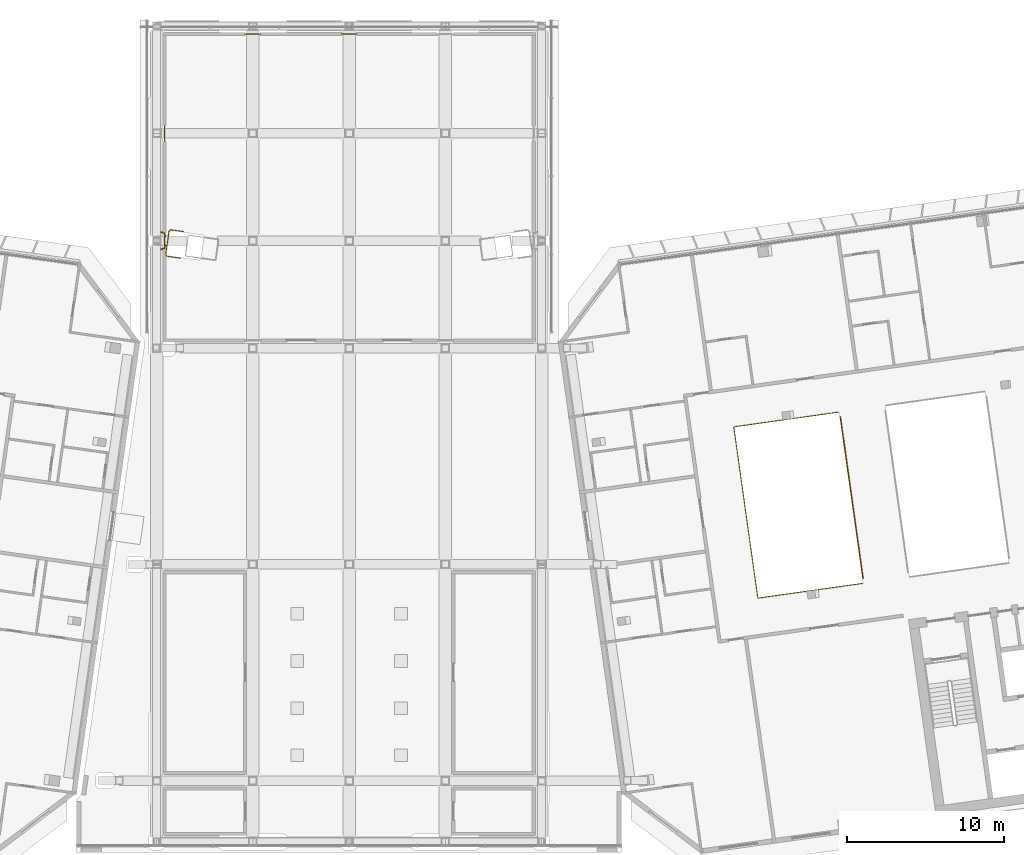
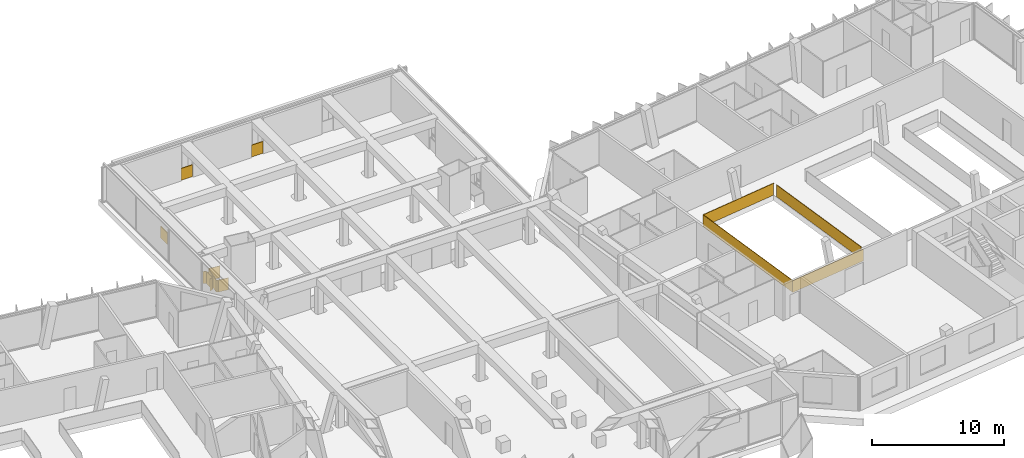
# One storey, part 25 of 28: 9 railings.
"""IFC4 building model written with IfcOpenShell, lengths in metres."""

from ifc_helpers import new_model, si_unit, direction, frame, origin, origin_2d, place, context, subcontext, project, spatial, rectangle, extrude, material, type_object, element, save


model = new_model("IFC4")

# Units and contexts
model_context = context("Model", 3, precision=1e-05, world=origin(), true_north=direction((0.0, 1.0)))
body_context = subcontext(model_context, "Body", "Model", "MODEL_VIEW")
ifc_project = project(units=[si_unit("LENGTHUNIT", "METRE"), si_unit("AREAUNIT", "SQUARE_METRE"), si_unit("VOLUMEUNIT", "CUBIC_METRE"), si_unit("PLANEANGLEUNIT", "RADIAN"), si_unit("MASSUNIT", "GRAM", prefix="KILO")], contexts=[model_context])

# Site, building, storey
site_placement = place(None, origin())
site = spatial("IfcSite", under=ifc_project, at=site_placement, CompositionType="ELEMENT")
building_placement = place(site_placement, origin())
building = spatial("IfcBuilding", under=site, at=building_placement, Name="Mirante Cascada Hotel Towers", CompositionType="ELEMENT")
storey_placement = place(building_placement, frame((0.0, 0.0, 262.2)))
storey = spatial("IfcBuildingStorey", under=building, at=storey_placement, Name="L63", CompositionType="ELEMENT", Elevation=262.2)

# Railings
ifc_material_1 = material(Name="Toughened glass with stainless steel handrail", Category="steel")
railing_type_1 = type_object("IfcRailingType", Name="Atrium guard 1100 glass balustrade", PredefinedType="GUARDRAIL", material=ifc_material_1)
railing_1_placement = place(storey_placement, frame((31.1707, 5.8392, 0.0)))
element("IfcRailing", 1, at=railing_1_placement, inside=storey, type_object=railing_type_1, Name="GUARD 2-L63-1", PredefinedType="GUARDRAIL", context=body_context, shape_type="SweptSolid", body=[
    extrude(rectangle(XDim=0.048, YDim=0.048, at=origin_2d()), frame((0.0, 0.0, 1.076), z_axis=(-0.9902693, -0.1391645, 0.0), x_axis=(0.1391645, -0.9902693, 0.0)), (0.0, 0.0, 1.0), 6.7503),
    extrude(rectangle(XDim=0.02, YDim=1.052, at=origin_2d()), frame((0.0, 0.0, 0.526), z_axis=(-0.9902693, -0.1391645, 0.0), x_axis=(0.1391645, -0.9902693, 0.0)), (0.0, 0.0, 1.0), 6.7503),
    extrude(rectangle(XDim=0.048, YDim=0.048, at=origin_2d()), frame((-6.6846, -0.9394, 1.076), z_axis=(0.1391721, -0.9902682, 0.0), x_axis=(0.9902682, 0.1391721, 0.0)), (0.0, 0.0, 1.0), 11.0001),
    extrude(rectangle(XDim=0.02, YDim=1.052, at=origin_2d()), frame((-6.6846, -0.9394, 0.526), z_axis=(0.1391721, -0.9902682, 0.0), x_axis=(0.9902682, 0.1391721, 0.0)), (0.0, 0.0, 1.0), 11.0001),
    extrude(rectangle(XDim=0.048, YDim=0.048, at=origin_2d()), frame((-5.1537, -11.8324, 1.076), z_axis=(0.9902672, 0.139179, 0.0), x_axis=(-0.139179, 0.9902672, 0.0)), (0.0, 0.0, 1.0), 6.7503),
    extrude(rectangle(XDim=0.02, YDim=1.052, at=origin_2d()), frame((-5.1537, -11.8324, 0.526), z_axis=(0.9902672, 0.139179, 0.0), x_axis=(-0.139179, 0.9902672, 0.0)), (0.0, 0.0, 1.0), 6.7503),
])
railing_2_placement = place(storey_placement, frame((32.709, -4.7541, 0.0)))
element("IfcRailing", 2, at=railing_2_placement, inside=storey, type_object=railing_type_1, Name="GUARD 2-L63-6", PredefinedType="GUARDRAIL", context=body_context, shape_type="SweptSolid", body=[
    extrude(rectangle(XDim=0.048, YDim=0.048, at=origin_2d()), frame((0.0, 0.0, 1.076), z_axis=(-0.1391721, 0.9902682, 0.0), x_axis=(-0.9902682, -0.1391721, 0.0)), (0.0, 0.0, 1.0), 10.4087),
    extrude(rectangle(XDim=0.02, YDim=1.052, at=origin_2d()), frame((0.0, 0.0, 0.526), z_axis=(-0.1391721, 0.9902682, 0.0), x_axis=(-0.9902682, -0.1391721, 0.0)), (0.0, 0.0, 1.0), 10.4087),
])
ifc_material_2 = material(Name="Toughened glass", Category="glass")
railing_type_2 = type_object("IfcRailingType", Name="Deck column opening guard 1100 glass balustrade", PredefinedType="GUARDRAIL", material=ifc_material_2)
railing_3_placement = place(storey_placement, frame((-12.0014, 16.1975, 0.0)))
element("IfcRailing", 3, at=railing_3_placement, inside=storey, type_object=railing_type_2, Name="Column opening guard L63 1", PredefinedType="GUARDRAIL", context=body_context, shape_type="SweptSolid", body=[
    extrude(rectangle(XDim=0.048, YDim=0.048, at=origin_2d()), frame((0.0, 0.0, 1.076), z_axis=(1.0, 0.0, 0.0), x_axis=(0.0, 1.0, 0.0)), (0.0, 0.0, 1.0), 0.0013),
    extrude(rectangle(XDim=0.02, YDim=1.052, at=origin_2d()), frame((0.0, 0.0, 0.526), z_axis=(1.0, 0.0, 0.0), x_axis=(0.0, 1.0, 0.0)), (0.0, 0.0, 1.0), 0.0013),
    extrude(rectangle(XDim=0.048, YDim=0.048, at=origin_2d()), frame((0.0013, 0.0, 1.076), z_axis=(0.9987612, 0.0497603, 0.0), x_axis=(-0.0497603, 0.9987612, 0.0)), (0.0, 0.0, 1.0), 0.0281),
    extrude(rectangle(XDim=0.02, YDim=1.052, at=origin_2d()), frame((0.0013, 0.0, 0.526), z_axis=(0.9987612, 0.0497603, 0.0), x_axis=(-0.0497603, 0.9987612, 0.0)), (0.0, 0.0, 1.0), 0.0281),
    extrude(rectangle(XDim=0.048, YDim=0.048, at=origin_2d()), frame((0.0294, 0.0014, 1.076), z_axis=(0.9893304, 0.1456891, 0.0), x_axis=(-0.1456891, 0.9893304, 0.0)), (0.0, 0.0, 1.0), 0.0295),
    extrude(rectangle(XDim=0.02, YDim=1.052, at=origin_2d()), frame((0.0294, 0.0014, 0.526), z_axis=(0.9893304, 0.1456891, 0.0), x_axis=(-0.1456891, 0.9893304, 0.0)), (0.0, 0.0, 1.0), 0.0295),
    extrude(rectangle(XDim=0.048, YDim=0.048, at=origin_2d()), frame((0.0586, 0.0057, 1.076), z_axis=(0.9695392, 0.2449362, 0.0), x_axis=(-0.2449362, 0.9695392, 0.0)), (0.0, 0.0, 1.0), 0.0294),
    extrude(rectangle(XDim=0.02, YDim=1.052, at=origin_2d()), frame((0.0586, 0.0057, 0.526), z_axis=(0.9695392, 0.2449362, 0.0), x_axis=(-0.2449362, 0.9695392, 0.0)), (0.0, 0.0, 1.0), 0.0294),
    extrude(rectangle(XDim=0.048, YDim=0.048, at=origin_2d()), frame((0.0871, 0.0129, 1.076), z_axis=(0.9420482, 0.3354776, 0.0), x_axis=(-0.3354776, 0.9420482, 0.0)), (0.0, 0.0, 1.0), 0.0295),
    extrude(rectangle(XDim=0.02, YDim=1.052, at=origin_2d()), frame((0.0871, 0.0129, 0.526), z_axis=(0.9420482, 0.3354776, 0.0), x_axis=(-0.3354776, 0.9420482, 0.0)), (0.0, 0.0, 1.0), 0.0295),
    extrude(rectangle(XDim=0.048, YDim=0.048, at=origin_2d()), frame((0.1149, 0.0228, 1.076), z_axis=(0.9037378, 0.4280863, 0.0), x_axis=(-0.4280863, 0.9037378, 0.0)), (0.0, 0.0, 1.0), 0.0294),
    extrude(rectangle(XDim=0.02, YDim=1.052, at=origin_2d()), frame((0.1149, 0.0228, 0.526), z_axis=(0.9037378, 0.4280863, 0.0), x_axis=(-0.4280863, 0.9037378, 0.0)), (0.0, 0.0, 1.0), 0.0294),
    extrude(rectangle(XDim=0.048, YDim=0.048, at=origin_2d()), frame((0.1415, 0.0354, 1.076), z_axis=(0.8577931, 0.5139951, 0.0), x_axis=(-0.5139951, 0.8577931, 0.0)), (0.0, 0.0, 1.0), 0.0294),
    extrude(rectangle(XDim=0.02, YDim=1.052, at=origin_2d()), frame((0.1415, 0.0354, 0.526), z_axis=(0.8577931, 0.5139951, 0.0), x_axis=(-0.5139951, 0.8577931, 0.0)), (0.0, 0.0, 1.0), 0.0294),
    extrude(rectangle(XDim=0.048, YDim=0.048, at=origin_2d()), frame((0.1667, 0.0505, 1.076), z_axis=(0.8028365, 0.5961993, 0.0), x_axis=(-0.5961993, 0.8028365, 0.0)), (0.0, 0.0, 1.0), 0.0295),
    extrude(rectangle(XDim=0.02, YDim=1.052, at=origin_2d()), frame((0.1667, 0.0505, 0.526), z_axis=(0.8028365, 0.5961993, 0.0), x_axis=(-0.5961993, 0.8028365, 0.0)), (0.0, 0.0, 1.0), 0.0295),
    extrude(rectangle(XDim=0.048, YDim=0.048, at=origin_2d()), frame((0.1904, 0.0681, 1.076), z_axis=(0.7419388, 0.6704676, 0.0), x_axis=(-0.6704676, 0.7419388, 0.0)), (0.0, 0.0, 1.0), 0.0294),
    extrude(rectangle(XDim=0.02, YDim=1.052, at=origin_2d()), frame((0.1904, 0.0681, 0.526), z_axis=(0.7419388, 0.6704676, 0.0), x_axis=(-0.6704676, 0.7419388, 0.0)), (0.0, 0.0, 1.0), 0.0294),
    extrude(rectangle(XDim=0.048, YDim=0.048, at=origin_2d()), frame((0.2122, 0.0878, 1.076), z_axis=(0.6706472, 0.7417765, 0.0), x_axis=(-0.7417765, 0.6706472, 0.0)), (0.0, 0.0, 1.0), 0.0295),
    extrude(rectangle(XDim=0.02, YDim=1.052, at=origin_2d()), frame((0.2122, 0.0878, 0.526), z_axis=(0.6706472, 0.7417765, 0.0), x_axis=(-0.7417765, 0.6706472, 0.0)), (0.0, 0.0, 1.0), 0.0295),
    extrude(rectangle(XDim=0.048, YDim=0.048, at=origin_2d()), frame((0.232, 0.1097, 1.076), z_axis=(0.5956345, 0.8032556, 0.0), x_axis=(-0.8032556, 0.5956345, 0.0)), (0.0, 0.0, 1.0), 0.0294),
    extrude(rectangle(XDim=0.02, YDim=1.052, at=origin_2d()), frame((0.232, 0.1097, 0.526), z_axis=(0.5956345, 0.8032556, 0.0), x_axis=(-0.8032556, 0.5956345, 0.0)), (0.0, 0.0, 1.0), 0.0294),
    extrude(rectangle(XDim=0.048, YDim=0.048, at=origin_2d()), frame((0.2495, 0.1333, 1.076), z_axis=(0.5149939, 0.8571938, 0.0), x_axis=(-0.8571938, 0.5149939, 0.0)), (0.0, 0.0, 1.0), 0.0295),
    extrude(rectangle(XDim=0.02, YDim=1.052, at=origin_2d()), frame((0.2495, 0.1333, 0.526), z_axis=(0.5149939, 0.8571938, 0.0), x_axis=(-0.8571938, 0.5149939, 0.0)), (0.0, 0.0, 1.0), 0.0295),
    extrude(rectangle(XDim=0.048, YDim=0.048, at=origin_2d()), frame((0.2647, 0.1586, 1.076), z_axis=(0.4280863, 0.9037378, 0.0), x_axis=(-0.9037378, 0.4280863, 0.0)), (0.0, 0.0, 1.0), 0.0294),
    extrude(rectangle(XDim=0.02, YDim=1.052, at=origin_2d()), frame((0.2647, 0.1586, 0.526), z_axis=(0.4280863, 0.9037378, 0.0), x_axis=(-0.9037378, 0.4280863, 0.0)), (0.0, 0.0, 1.0), 0.0294),
    extrude(rectangle(XDim=0.048, YDim=0.048, at=origin_2d()), frame((0.2773, 0.1852, 1.076), z_axis=(0.3365517, 0.941665, 0.0), x_axis=(-0.941665, 0.3365517, 0.0)), (0.0, 0.0, 1.0), 0.0294),
    extrude(rectangle(XDim=0.02, YDim=1.052, at=origin_2d()), frame((0.2773, 0.1852, 0.526), z_axis=(0.3365517, 0.941665, 0.0), x_axis=(-0.941665, 0.3365517, 0.0)), (0.0, 0.0, 1.0), 0.0294),
    extrude(rectangle(XDim=0.048, YDim=0.048, at=origin_2d()), frame((0.2872, 0.2129, 1.076), z_axis=(0.2409384, 0.9705404, 0.0), x_axis=(-0.9705404, 0.2409384, 0.0)), (0.0, 0.0, 1.0), 0.0295),
    extrude(rectangle(XDim=0.02, YDim=1.052, at=origin_2d()), frame((0.2872, 0.2129, 0.526), z_axis=(0.2409384, 0.9705404, 0.0), x_axis=(-0.9705404, 0.2409384, 0.0)), (0.0, 0.0, 1.0), 0.0295),
    extrude(rectangle(XDim=0.048, YDim=0.048, at=origin_2d()), frame((0.2943, 0.2415, 1.076), z_axis=(0.146179, 0.9892582, 0.0), x_axis=(-0.9892582, 0.146179, 0.0)), (0.0, 0.0, 1.0), 0.0294),
    extrude(rectangle(XDim=0.02, YDim=1.052, at=origin_2d()), frame((0.2943, 0.2415, 0.526), z_axis=(0.146179, 0.9892582, 0.0), x_axis=(-0.9892582, 0.146179, 0.0)), (0.0, 0.0, 1.0), 0.0294),
    extrude(rectangle(XDim=0.048, YDim=0.048, at=origin_2d()), frame((0.2986, 0.2706, 1.076), z_axis=(0.0495843, 0.9987699, 0.0), x_axis=(-0.9987699, 0.0495843, 0.0)), (0.0, 0.0, 1.0), 0.0282),
    extrude(rectangle(XDim=0.02, YDim=1.052, at=origin_2d()), frame((0.2986, 0.2706, 0.526), z_axis=(0.0495843, 0.9987699, 0.0), x_axis=(-0.9987699, 0.0495843, 0.0)), (0.0, 0.0, 1.0), 0.0282),
    extrude(rectangle(XDim=0.048, YDim=0.048, at=origin_2d()), frame((0.3, 0.2988, 1.076), z_axis=(0.0, 1.0, 0.0), x_axis=(-1.0, 0.0, 0.0)), (0.0, 0.0, 1.0), 0.0012),
    extrude(rectangle(XDim=0.02, YDim=1.052, at=origin_2d()), frame((0.3, 0.2988, 0.526), z_axis=(0.0, 1.0, 0.0), x_axis=(-1.0, 0.0, 0.0)), (0.0, 0.0, 1.0), 0.0012),
])
railing_4_placement = place(storey_placement, frame((-11.7014, 16.9975, 0.0)))
element("IfcRailing", 4, at=railing_4_placement, inside=storey, type_object=railing_type_2, Name="Column opening guard L63 2", PredefinedType="GUARDRAIL", context=body_context, shape_type="SweptSolid", body=[
    extrude(rectangle(XDim=0.048, YDim=0.048, at=origin_2d()), frame((0.0, 0.0, 1.076), z_axis=(0.0, 1.0, 0.0), x_axis=(-1.0, 0.0, 0.0)), (0.0, 0.0, 1.0), 0.0012),
    extrude(rectangle(XDim=0.02, YDim=1.052, at=origin_2d()), frame((0.0, 0.0, 0.526), z_axis=(0.0, 1.0, 0.0), x_axis=(-1.0, 0.0, 0.0)), (0.0, 0.0, 1.0), 0.0012),
    extrude(rectangle(XDim=0.048, YDim=0.048, at=origin_2d()), frame((0.0, 0.0012, 1.076), z_axis=(-0.0495843, 0.9987699, 0.0), x_axis=(-0.9987699, -0.0495843, 0.0)), (0.0, 0.0, 1.0), 0.0282),
    extrude(rectangle(XDim=0.02, YDim=1.052, at=origin_2d()), frame((0.0, 0.0012, 0.526), z_axis=(-0.0495843, 0.9987699, 0.0), x_axis=(-0.9987699, -0.0495843, 0.0)), (0.0, 0.0, 1.0), 0.0282),
    extrude(rectangle(XDim=0.048, YDim=0.048, at=origin_2d()), frame((-0.0014, 0.0294, 1.076), z_axis=(-0.1456891, 0.9893304, 0.0), x_axis=(-0.9893304, -0.1456891, 0.0)), (0.0, 0.0, 1.0), 0.0295),
    extrude(rectangle(XDim=0.02, YDim=1.052, at=origin_2d()), frame((-0.0014, 0.0294, 0.526), z_axis=(-0.1456891, 0.9893304, 0.0), x_axis=(-0.9893304, -0.1456891, 0.0)), (0.0, 0.0, 1.0), 0.0295),
    extrude(rectangle(XDim=0.048, YDim=0.048, at=origin_2d()), frame((-0.0057, 0.0586, 1.076), z_axis=(-0.2417344, 0.9703424, 0.0), x_axis=(-0.9703424, -0.2417344, 0.0)), (0.0, 0.0, 1.0), 0.0294),
    extrude(rectangle(XDim=0.02, YDim=1.052, at=origin_2d()), frame((-0.0057, 0.0586, 0.526), z_axis=(-0.2417344, 0.9703424, 0.0), x_axis=(-0.9703424, -0.2417344, 0.0)), (0.0, 0.0, 1.0), 0.0294),
    extrude(rectangle(XDim=0.048, YDim=0.048, at=origin_2d()), frame((-0.0128, 0.0871, 1.076), z_axis=(-0.3365517, 0.941665, 0.0), x_axis=(-0.941665, -0.3365517, 0.0)), (0.0, 0.0, 1.0), 0.0294),
    extrude(rectangle(XDim=0.02, YDim=1.052, at=origin_2d()), frame((-0.0128, 0.0871, 0.526), z_axis=(-0.3365517, 0.941665, 0.0), x_axis=(-0.941665, -0.3365517, 0.0)), (0.0, 0.0, 1.0), 0.0294),
    extrude(rectangle(XDim=0.048, YDim=0.048, at=origin_2d()), frame((-0.0227, 0.1148, 1.076), z_axis=(-0.4267755, 0.9043576, 0.0), x_axis=(-0.9043576, -0.4267755, 0.0)), (0.0, 0.0, 1.0), 0.0295),
    extrude(rectangle(XDim=0.02, YDim=1.052, at=origin_2d()), frame((-0.0227, 0.1148, 0.526), z_axis=(-0.4267755, 0.9043576, 0.0), x_axis=(-0.9043576, -0.4267755, 0.0)), (0.0, 0.0, 1.0), 0.0295),
    extrude(rectangle(XDim=0.048, YDim=0.048, at=origin_2d()), frame((-0.0353, 0.1415, 1.076), z_axis=(-0.5164932, 0.8562913, 0.0), x_axis=(-0.8562913, -0.5164932, 0.0)), (0.0, 0.0, 1.0), 0.0294),
    extrude(rectangle(XDim=0.02, YDim=1.052, at=origin_2d()), frame((-0.0353, 0.1415, 0.526), z_axis=(-0.5164932, 0.8562913, 0.0), x_axis=(-0.8562913, -0.5164932, 0.0)), (0.0, 0.0, 1.0), 0.0294),
    extrude(rectangle(XDim=0.048, YDim=0.048, at=origin_2d()), frame((-0.0505, 0.1667, 1.076), z_axis=(-0.5940092, 0.8044582, 0.0), x_axis=(-0.8044582, -0.5940092, 0.0)), (0.0, 0.0, 1.0), 0.0295),
    extrude(rectangle(XDim=0.02, YDim=1.052, at=origin_2d()), frame((-0.0505, 0.1667, 0.526), z_axis=(-0.5940092, 0.8044582, 0.0), x_axis=(-0.8044582, -0.5940092, 0.0)), (0.0, 0.0, 1.0), 0.0295),
    extrude(rectangle(XDim=0.048, YDim=0.048, at=origin_2d()), frame((-0.068, 0.1904, 1.076), z_axis=(-0.6723347, 0.7402473, 0.0), x_axis=(-0.7402473, -0.6723347, 0.0)), (0.0, 0.0, 1.0), 0.0294),
    extrude(rectangle(XDim=0.02, YDim=1.052, at=origin_2d()), frame((-0.068, 0.1904, 0.526), z_axis=(-0.6723347, 0.7402473, 0.0), x_axis=(-0.7402473, -0.6723347, 0.0)), (0.0, 0.0, 1.0), 0.0294),
    extrude(rectangle(XDim=0.048, YDim=0.048, at=origin_2d()), frame((-0.0878, 0.2122, 1.076), z_axis=(-0.7402473, 0.6723347, 0.0), x_axis=(-0.6723347, -0.7402473, 0.0)), (0.0, 0.0, 1.0), 0.0294),
    extrude(rectangle(XDim=0.02, YDim=1.052, at=origin_2d()), frame((-0.0878, 0.2122, 0.526), z_axis=(-0.7402473, 0.6723347, 0.0), x_axis=(-0.6723347, -0.7402473, 0.0)), (0.0, 0.0, 1.0), 0.0294),
    extrude(rectangle(XDim=0.048, YDim=0.048, at=origin_2d()), frame((-0.1096, 0.232, 1.076), z_axis=(-0.8044582, 0.5940092, 0.0), x_axis=(-0.5940092, -0.8044582, 0.0)), (0.0, 0.0, 1.0), 0.0295),
    extrude(rectangle(XDim=0.02, YDim=1.052, at=origin_2d()), frame((-0.1096, 0.232, 0.526), z_axis=(-0.8044582, 0.5940092, 0.0), x_axis=(-0.5940092, -0.8044582, 0.0)), (0.0, 0.0, 1.0), 0.0295),
    extrude(rectangle(XDim=0.048, YDim=0.048, at=origin_2d()), frame((-0.1333, 0.2495, 1.076), z_axis=(-0.8577931, 0.5139951, 0.0), x_axis=(-0.5139951, -0.8577931, 0.0)), (0.0, 0.0, 1.0), 0.0294),
    extrude(rectangle(XDim=0.02, YDim=1.052, at=origin_2d()), frame((-0.1333, 0.2495, 0.526), z_axis=(-0.8577931, 0.5139951, 0.0), x_axis=(-0.5139951, -0.8577931, 0.0)), (0.0, 0.0, 1.0), 0.0294),
    extrude(rectangle(XDim=0.048, YDim=0.048, at=origin_2d()), frame((-0.1585, 0.2646, 1.076), z_axis=(-0.9037378, 0.4280863, 0.0), x_axis=(-0.4280863, -0.9037378, 0.0)), (0.0, 0.0, 1.0), 0.0294),
    extrude(rectangle(XDim=0.02, YDim=1.052, at=origin_2d()), frame((-0.1585, 0.2646, 0.526), z_axis=(-0.9037378, 0.4280863, 0.0), x_axis=(-0.4280863, -0.9037378, 0.0)), (0.0, 0.0, 1.0), 0.0294),
    extrude(rectangle(XDim=0.048, YDim=0.048, at=origin_2d()), frame((-0.1851, 0.2772, 1.076), z_axis=(-0.9409737, 0.3384797, 0.0), x_axis=(-0.3384797, -0.9409737, 0.0)), (0.0, 0.0, 1.0), 0.0295),
    extrude(rectangle(XDim=0.02, YDim=1.052, at=origin_2d()), frame((-0.1851, 0.2772, 0.526), z_axis=(-0.9409737, 0.3384797, 0.0), x_axis=(-0.3384797, -0.9409737, 0.0)), (0.0, 0.0, 1.0), 0.0295),
    extrude(rectangle(XDim=0.048, YDim=0.048, at=origin_2d()), frame((-0.2129, 0.2872, 1.076), z_axis=(-0.9703424, 0.2417344, 0.0), x_axis=(-0.2417344, -0.9703424, 0.0)), (0.0, 0.0, 1.0), 0.0294),
    extrude(rectangle(XDim=0.02, YDim=1.052, at=origin_2d()), frame((-0.2129, 0.2872, 0.526), z_axis=(-0.9703424, 0.2417344, 0.0), x_axis=(-0.2417344, -0.9703424, 0.0)), (0.0, 0.0, 1.0), 0.0294),
    extrude(rectangle(XDim=0.048, YDim=0.048, at=origin_2d()), frame((-0.2414, 0.2943, 1.076), z_axis=(-0.9893304, 0.1456891, 0.0), x_axis=(-0.1456891, -0.9893304, 0.0)), (0.0, 0.0, 1.0), 0.0295),
    extrude(rectangle(XDim=0.02, YDim=1.052, at=origin_2d()), frame((-0.2414, 0.2943, 0.526), z_axis=(-0.9893304, 0.1456891, 0.0), x_axis=(-0.1456891, -0.9893304, 0.0)), (0.0, 0.0, 1.0), 0.0295),
    extrude(rectangle(XDim=0.048, YDim=0.048, at=origin_2d()), frame((-0.2706, 0.2986, 1.076), z_axis=(-0.9987612, 0.0497603, 0.0), x_axis=(-0.0497603, -0.9987612, 0.0)), (0.0, 0.0, 1.0), 0.0281),
    extrude(rectangle(XDim=0.02, YDim=1.052, at=origin_2d()), frame((-0.2706, 0.2986, 0.526), z_axis=(-0.9987612, 0.0497603, 0.0), x_axis=(-0.0497603, -0.9987612, 0.0)), (0.0, 0.0, 1.0), 0.0281),
    extrude(rectangle(XDim=0.048, YDim=0.048, at=origin_2d()), frame((-0.2987, 0.3, 1.076), z_axis=(-1.0, 0.0, 0.0), x_axis=(0.0, -1.0, 0.0)), (0.0, 0.0, 1.0), 0.0013),
    extrude(rectangle(XDim=0.02, YDim=1.052, at=origin_2d()), frame((-0.2987, 0.3, 0.526), z_axis=(-1.0, 0.0, 0.0), x_axis=(0.0, -1.0, 0.0)), (0.0, 0.0, 1.0), 0.0013),
])
railing_5_placement = place(storey_placement, frame((-10.4951, 17.3235, 0.0)))
element("IfcRailing", 5, at=railing_5_placement, inside=storey, type_object=railing_type_2, Name="Column opening guard L63 3", PredefinedType="GUARDRAIL", context=body_context, shape_type="SweptSolid", body=[
    extrude(rectangle(XDim=0.048, YDim=0.048, at=origin_2d()), frame((0.0, 0.0, 1.076), z_axis=(-0.9902732, 0.1391364, 0.0), x_axis=(-0.1391364, -0.9902732, 0.0)), (0.0, 0.0, 1.0), 0.815),
    extrude(rectangle(XDim=0.02, YDim=1.052, at=origin_2d()), frame((0.0, 0.0, 0.526), z_axis=(-0.9902732, 0.1391364, 0.0), x_axis=(-0.1391364, -0.9902732, 0.0)), (0.0, 0.0, 1.0), 0.815),
    extrude(rectangle(XDim=0.048, YDim=0.048, at=origin_2d()), frame((-0.8071, 0.1134, 1.076), z_axis=(-0.9960142, 0.0891953, 0.0), x_axis=(-0.0891953, -0.9960142, 0.0)), (0.0, 0.0, 1.0), 0.0135),
    extrude(rectangle(XDim=0.02, YDim=1.052, at=origin_2d()), frame((-0.8071, 0.1134, 0.526), z_axis=(-0.9960142, 0.0891953, 0.0), x_axis=(-0.0891953, -0.9960142, 0.0)), (0.0, 0.0, 1.0), 0.0135),
    extrude(rectangle(XDim=0.048, YDim=0.048, at=origin_2d()), frame((-0.8205, 0.1146, 1.076), z_axis=(-0.9999772, -0.0067566, 0.0), x_axis=(0.0067566, -0.9999772, 0.0)), (0.0, 0.0, 1.0), 0.0148),
    extrude(rectangle(XDim=0.02, YDim=1.052, at=origin_2d()), frame((-0.8205, 0.1146, 0.526), z_axis=(-0.9999772, -0.0067566, 0.0), x_axis=(0.0067566, -0.9999772, 0.0)), (0.0, 0.0, 1.0), 0.0148),
    extrude(rectangle(XDim=0.048, YDim=0.048, at=origin_2d()), frame((-0.8353, 0.1145, 1.076), z_axis=(-0.9947637, -0.1022017, 0.0), x_axis=(0.1022017, -0.9947637, 0.0)), (0.0, 0.0, 1.0), 0.0147),
    extrude(rectangle(XDim=0.02, YDim=1.052, at=origin_2d()), frame((-0.8353, 0.1145, 0.526), z_axis=(-0.9947637, -0.1022017, 0.0), x_axis=(0.1022017, -0.9947637, 0.0)), (0.0, 0.0, 1.0), 0.0147),
    extrude(rectangle(XDim=0.048, YDim=0.048, at=origin_2d()), frame((-0.8499, 0.113, 1.076), z_axis=(-0.9789804, -0.2039543, 0.0), x_axis=(0.2039543, -0.9789804, 0.0)), (0.0, 0.0, 1.0), 0.0147),
    extrude(rectangle(XDim=0.02, YDim=1.052, at=origin_2d()), frame((-0.8499, 0.113, 0.526), z_axis=(-0.9789804, -0.2039543, 0.0), x_axis=(0.2039543, -0.9789804, 0.0)), (0.0, 0.0, 1.0), 0.0147),
    extrude(rectangle(XDim=0.048, YDim=0.048, at=origin_2d()), frame((-0.8643, 0.11, 1.076), z_axis=(-0.9546004, -0.2978895, 0.0), x_axis=(0.2978895, -0.9546004, 0.0)), (0.0, 0.0, 1.0), 0.0148),
    extrude(rectangle(XDim=0.02, YDim=1.052, at=origin_2d()), frame((-0.8643, 0.11, 0.526), z_axis=(-0.9546004, -0.2978895, 0.0), x_axis=(0.2978895, -0.9546004, 0.0)), (0.0, 0.0, 1.0), 0.0148),
    extrude(rectangle(XDim=0.048, YDim=0.048, at=origin_2d()), frame((-0.8784, 0.1056, 1.076), z_axis=(-0.9222724, -0.3865406, 0.0), x_axis=(0.3865406, -0.9222724, 0.0)), (0.0, 0.0, 1.0), 0.0147),
    extrude(rectangle(XDim=0.02, YDim=1.052, at=origin_2d()), frame((-0.8784, 0.1056, 0.526), z_axis=(-0.9222724, -0.3865406, 0.0), x_axis=(0.3865406, -0.9222724, 0.0)), (0.0, 0.0, 1.0), 0.0147),
    extrude(rectangle(XDim=0.048, YDim=0.048, at=origin_2d()), frame((-0.892, 0.0999, 1.076), z_axis=(-0.8760725, -0.4821794, 0.0), x_axis=(0.4821794, -0.8760725, 0.0)), (0.0, 0.0, 1.0), 0.0147),
    extrude(rectangle(XDim=0.02, YDim=1.052, at=origin_2d()), frame((-0.892, 0.0999, 0.526), z_axis=(-0.8760725, -0.4821794, 0.0), x_axis=(0.4821794, -0.8760725, 0.0)), (0.0, 0.0, 1.0), 0.0147),
    extrude(rectangle(XDim=0.048, YDim=0.048, at=origin_2d()), frame((-0.9049, 0.0928, 1.076), z_axis=(-0.8299512, -0.557836, 0.0), x_axis=(0.557836, -0.8299512, 0.0)), (0.0, 0.0, 1.0), 0.0147),
    extrude(rectangle(XDim=0.02, YDim=1.052, at=origin_2d()), frame((-0.9049, 0.0928, 0.526), z_axis=(-0.8299512, -0.557836, 0.0), x_axis=(0.557836, -0.8299512, 0.0)), (0.0, 0.0, 1.0), 0.0147),
    extrude(rectangle(XDim=0.048, YDim=0.048, at=origin_2d()), frame((-0.9171, 0.0846, 1.076), z_axis=(-0.7654379, -0.6435098, 0.0), x_axis=(0.6435098, -0.7654379, 0.0)), (0.0, 0.0, 1.0), 0.0148),
    extrude(rectangle(XDim=0.02, YDim=1.052, at=origin_2d()), frame((-0.9171, 0.0846, 0.526), z_axis=(-0.7654379, -0.6435098, 0.0), x_axis=(0.6435098, -0.7654379, 0.0)), (0.0, 0.0, 1.0), 0.0148),
    extrude(rectangle(XDim=0.048, YDim=0.048, at=origin_2d()), frame((-0.9284, 0.0751, 1.076), z_axis=(-0.7002753, -0.7138729, 0.0), x_axis=(0.7138729, -0.7002753, 0.0)), (0.0, 0.0, 1.0), 0.0147),
    extrude(rectangle(XDim=0.02, YDim=1.052, at=origin_2d()), frame((-0.9284, 0.0751, 0.526), z_axis=(-0.7002753, -0.7138729, 0.0), x_axis=(0.7138729, -0.7002753, 0.0)), (0.0, 0.0, 1.0), 0.0147),
    extrude(rectangle(XDim=0.048, YDim=0.048, at=origin_2d()), frame((-0.9387, 0.0646, 1.076), z_axis=(-0.6321267, -0.774865, 0.0), x_axis=(0.774865, -0.6321267, 0.0)), (0.0, 0.0, 1.0), 0.0147),
    extrude(rectangle(XDim=0.02, YDim=1.052, at=origin_2d()), frame((-0.9387, 0.0646, 0.526), z_axis=(-0.6321267, -0.774865, 0.0), x_axis=(0.774865, -0.6321267, 0.0)), (0.0, 0.0, 1.0), 0.0147),
    extrude(rectangle(XDim=0.048, YDim=0.048, at=origin_2d()), frame((-0.948, 0.0532, 1.076), z_axis=(-0.5499906, -0.8351709, 0.0), x_axis=(0.8351709, -0.5499906, 0.0)), (0.0, 0.0, 1.0), 0.0147),
    extrude(rectangle(XDim=0.02, YDim=1.052, at=origin_2d()), frame((-0.948, 0.0532, 0.526), z_axis=(-0.5499906, -0.8351709, 0.0), x_axis=(0.8351709, -0.5499906, 0.0)), (0.0, 0.0, 1.0), 0.0147),
    extrude(rectangle(XDim=0.048, YDim=0.048, at=origin_2d()), frame((-0.9561, 0.0409, 1.076), z_axis=(-0.4607126, -0.8875494, 0.0), x_axis=(0.8875494, -0.4607126, 0.0)), (0.0, 0.0, 1.0), 0.0148),
    extrude(rectangle(XDim=0.02, YDim=1.052, at=origin_2d()), frame((-0.9561, 0.0409, 0.526), z_axis=(-0.4607126, -0.8875494, 0.0), x_axis=(0.8875494, -0.4607126, 0.0)), (0.0, 0.0, 1.0), 0.0148),
    extrude(rectangle(XDim=0.048, YDim=0.048, at=origin_2d()), frame((-0.9629, 0.0278, 1.076), z_axis=(-0.3749138, -0.9270597, 0.0), x_axis=(0.9270597, -0.3749138, 0.0)), (0.0, 0.0, 1.0), 0.0147),
    extrude(rectangle(XDim=0.02, YDim=1.052, at=origin_2d()), frame((-0.9629, 0.0278, 0.526), z_axis=(-0.3749138, -0.9270597, 0.0), x_axis=(0.9270597, -0.3749138, 0.0)), (0.0, 0.0, 1.0), 0.0147),
    extrude(rectangle(XDim=0.048, YDim=0.048, at=origin_2d()), frame((-0.9684, 0.0142, 1.076), z_axis=(-0.2854766, -0.9583857, 0.0), x_axis=(0.9583857, -0.2854766, 0.0)), (0.0, 0.0, 1.0), 0.0147),
    extrude(rectangle(XDim=0.02, YDim=1.052, at=origin_2d()), frame((-0.9684, 0.0142, 0.526), z_axis=(-0.2854766, -0.9583857, 0.0), x_axis=(0.9583857, -0.2854766, 0.0)), (0.0, 0.0, 1.0), 0.0147),
    extrude(rectangle(XDim=0.048, YDim=0.048, at=origin_2d()), frame((-0.9726, 0.0001, 1.076), z_axis=(-0.1847347, -0.9827884, 0.0), x_axis=(0.9827884, -0.1847347, 0.0)), (0.0, 0.0, 1.0), 0.0135),
    extrude(rectangle(XDim=0.02, YDim=1.052, at=origin_2d()), frame((-0.9726, 0.0001, 0.526), z_axis=(-0.1847347, -0.9827884, 0.0), x_axis=(0.9827884, -0.1847347, 0.0)), (0.0, 0.0, 1.0), 0.0135),
    extrude(rectangle(XDim=0.048, YDim=0.048, at=origin_2d()), frame((-0.9751, -0.0132, 1.076), z_axis=(-0.1391849, -0.9902664, 0.0), x_axis=(0.9902664, -0.1391849, 0.0)), (0.0, 0.0, 1.0), 1.4025),
    extrude(rectangle(XDim=0.02, YDim=1.052, at=origin_2d()), frame((-0.9751, -0.0132, 0.526), z_axis=(-0.1391849, -0.9902664, 0.0), x_axis=(0.9902664, -0.1391849, 0.0)), (0.0, 0.0, 1.0), 1.4025),
    extrude(rectangle(XDim=0.048, YDim=0.048, at=origin_2d()), frame((-1.1703, -1.402, 1.076), z_axis=(-0.0891953, -0.9960142, 0.0), x_axis=(0.9960142, -0.0891953, 0.0)), (0.0, 0.0, 1.0), 0.0135),
    extrude(rectangle(XDim=0.02, YDim=1.052, at=origin_2d()), frame((-1.1703, -1.402, 0.526), z_axis=(-0.0891953, -0.9960142, 0.0), x_axis=(0.9960142, -0.0891953, 0.0)), (0.0, 0.0, 1.0), 0.0135),
    extrude(rectangle(XDim=0.048, YDim=0.048, at=origin_2d()), frame((-1.1715, -1.4154, 1.076), z_axis=(0.0067566, -0.9999772, 0.0), x_axis=(0.9999772, 0.0067566, 0.0)), (0.0, 0.0, 1.0), 0.0148),
    extrude(rectangle(XDim=0.02, YDim=1.052, at=origin_2d()), frame((-1.1715, -1.4154, 0.526), z_axis=(0.0067566, -0.9999772, 0.0), x_axis=(0.9999772, 0.0067566, 0.0)), (0.0, 0.0, 1.0), 0.0148),
    extrude(rectangle(XDim=0.048, YDim=0.048, at=origin_2d()), frame((-1.1714, -1.4302, 1.076), z_axis=(0.1022017, -0.9947637, 0.0), x_axis=(0.9947637, 0.1022017, 0.0)), (0.0, 0.0, 1.0), 0.0147),
    extrude(rectangle(XDim=0.02, YDim=1.052, at=origin_2d()), frame((-1.1714, -1.4302, 0.526), z_axis=(0.1022017, -0.9947637, 0.0), x_axis=(0.9947637, 0.1022017, 0.0)), (0.0, 0.0, 1.0), 0.0147),
    extrude(rectangle(XDim=0.048, YDim=0.048, at=origin_2d()), frame((-1.1699, -1.4448, 1.076), z_axis=(0.2039543, -0.9789804, 0.0), x_axis=(0.9789804, 0.2039543, 0.0)), (0.0, 0.0, 1.0), 0.0147),
    extrude(rectangle(XDim=0.02, YDim=1.052, at=origin_2d()), frame((-1.1699, -1.4448, 0.526), z_axis=(0.2039543, -0.9789804, 0.0), x_axis=(0.9789804, 0.2039543, 0.0)), (0.0, 0.0, 1.0), 0.0147),
    extrude(rectangle(XDim=0.048, YDim=0.048, at=origin_2d()), frame((-1.1669, -1.4592, 1.076), z_axis=(0.2978895, -0.9546004, 0.0), x_axis=(0.9546004, 0.2978895, 0.0)), (0.0, 0.0, 1.0), 0.0148),
    extrude(rectangle(XDim=0.02, YDim=1.052, at=origin_2d()), frame((-1.1669, -1.4592, 0.526), z_axis=(0.2978895, -0.9546004, 0.0), x_axis=(0.9546004, 0.2978895, 0.0)), (0.0, 0.0, 1.0), 0.0148),
    extrude(rectangle(XDim=0.048, YDim=0.048, at=origin_2d()), frame((-1.1625, -1.4733, 1.076), z_axis=(0.3865406, -0.9222724, 0.0), x_axis=(0.9222724, 0.3865406, 0.0)), (0.0, 0.0, 1.0), 0.0147),
    extrude(rectangle(XDim=0.02, YDim=1.052, at=origin_2d()), frame((-1.1625, -1.4733, 0.526), z_axis=(0.3865406, -0.9222724, 0.0), x_axis=(0.9222724, 0.3865406, 0.0)), (0.0, 0.0, 1.0), 0.0147),
    extrude(rectangle(XDim=0.048, YDim=0.048, at=origin_2d()), frame((-1.1568, -1.4869, 1.076), z_axis=(0.4821794, -0.8760725, 0.0), x_axis=(0.8760725, 0.4821794, 0.0)), (0.0, 0.0, 1.0), 0.0147),
    extrude(rectangle(XDim=0.02, YDim=1.052, at=origin_2d()), frame((-1.1568, -1.4869, 0.526), z_axis=(0.4821794, -0.8760725, 0.0), x_axis=(0.8760725, 0.4821794, 0.0)), (0.0, 0.0, 1.0), 0.0147),
    extrude(rectangle(XDim=0.048, YDim=0.048, at=origin_2d()), frame((-1.1497, -1.4998, 1.076), z_axis=(0.5624954, -0.8268004, 0.0), x_axis=(0.8268004, 0.5624954, 0.0)), (0.0, 0.0, 1.0), 0.0148),
    extrude(rectangle(XDim=0.02, YDim=1.052, at=origin_2d()), frame((-1.1497, -1.4998, 0.526), z_axis=(0.5624954, -0.8268004, 0.0), x_axis=(0.8268004, 0.5624954, 0.0)), (0.0, 0.0, 1.0), 0.0148),
    extrude(rectangle(XDim=0.048, YDim=0.048, at=origin_2d()), frame((-1.1414, -1.512, 1.076), z_axis=(0.639515, -0.7687786, 0.0), x_axis=(0.7687786, 0.639515, 0.0)), (0.0, 0.0, 1.0), 0.0147),
    extrude(rectangle(XDim=0.02, YDim=1.052, at=origin_2d()), frame((-1.1414, -1.512, 0.526), z_axis=(0.639515, -0.7687786, 0.0), x_axis=(0.7687786, 0.639515, 0.0)), (0.0, 0.0, 1.0), 0.0147),
    extrude(rectangle(XDim=0.048, YDim=0.048, at=origin_2d()), frame((-1.132, -1.5233, 1.076), z_axis=(0.7138729, -0.7002753, 0.0), x_axis=(0.7002753, 0.7138729, 0.0)), (0.0, 0.0, 1.0), 0.0147),
    extrude(rectangle(XDim=0.02, YDim=1.052, at=origin_2d()), frame((-1.132, -1.5233, 0.526), z_axis=(0.7138729, -0.7002753, 0.0), x_axis=(0.7002753, 0.7138729, 0.0)), (0.0, 0.0, 1.0), 0.0147),
    extrude(rectangle(XDim=0.048, YDim=0.048, at=origin_2d()), frame((-1.1215, -1.5336, 1.076), z_axis=(0.774865, -0.6321267, 0.0), x_axis=(0.6321267, 0.774865, 0.0)), (0.0, 0.0, 1.0), 0.0147),
    extrude(rectangle(XDim=0.02, YDim=1.052, at=origin_2d()), frame((-1.1215, -1.5336, 0.526), z_axis=(0.774865, -0.6321267, 0.0), x_axis=(0.6321267, 0.774865, 0.0)), (0.0, 0.0, 1.0), 0.0147),
    extrude(rectangle(XDim=0.048, YDim=0.048, at=origin_2d()), frame((-1.1101, -1.5429, 1.076), z_axis=(0.8351709, -0.5499906, 0.0), x_axis=(0.5499906, 0.8351709, 0.0)), (0.0, 0.0, 1.0), 0.0147),
    extrude(rectangle(XDim=0.02, YDim=1.052, at=origin_2d()), frame((-1.1101, -1.5429, 0.526), z_axis=(0.8351709, -0.5499906, 0.0), x_axis=(0.5499906, 0.8351709, 0.0)), (0.0, 0.0, 1.0), 0.0147),
    extrude(rectangle(XDim=0.048, YDim=0.048, at=origin_2d()), frame((-1.0978, -1.551, 1.076), z_axis=(0.8875494, -0.4607126, 0.0), x_axis=(0.4607126, 0.8875494, 0.0)), (0.0, 0.0, 1.0), 0.0148),
    extrude(rectangle(XDim=0.02, YDim=1.052, at=origin_2d()), frame((-1.0978, -1.551, 0.526), z_axis=(0.8875494, -0.4607126, 0.0), x_axis=(0.4607126, 0.8875494, 0.0)), (0.0, 0.0, 1.0), 0.0148),
    extrude(rectangle(XDim=0.048, YDim=0.048, at=origin_2d()), frame((-1.0847, -1.5578, 1.076), z_axis=(0.9270597, -0.3749138, 0.0), x_axis=(0.3749138, 0.9270597, 0.0)), (0.0, 0.0, 1.0), 0.0147),
    extrude(rectangle(XDim=0.02, YDim=1.052, at=origin_2d()), frame((-1.0847, -1.5578, 0.526), z_axis=(0.9270597, -0.3749138, 0.0), x_axis=(0.3749138, 0.9270597, 0.0)), (0.0, 0.0, 1.0), 0.0147),
    extrude(rectangle(XDim=0.048, YDim=0.048, at=origin_2d()), frame((-1.0711, -1.5633, 1.076), z_axis=(0.9589343, -0.2836284, 0.0), x_axis=(0.2836284, 0.9589343, 0.0)), (0.0, 0.0, 1.0), 0.0148),
    extrude(rectangle(XDim=0.02, YDim=1.052, at=origin_2d()), frame((-1.0711, -1.5633, 0.526), z_axis=(0.9589343, -0.2836284, 0.0), x_axis=(0.2836284, 0.9589343, 0.0)), (0.0, 0.0, 1.0), 0.0148),
    extrude(rectangle(XDim=0.048, YDim=0.048, at=origin_2d()), frame((-1.0569, -1.5675, 1.076), z_axis=(0.9825335, -0.1860859, 0.0), x_axis=(0.1860859, 0.9825335, 0.0)), (0.0, 0.0, 1.0), 0.0134),
    extrude(rectangle(XDim=0.02, YDim=1.052, at=origin_2d()), frame((-1.0569, -1.5675, 0.526), z_axis=(0.9825335, -0.1860859, 0.0), x_axis=(0.1860859, 0.9825335, 0.0)), (0.0, 0.0, 1.0), 0.0134),
    extrude(rectangle(XDim=0.048, YDim=0.048, at=origin_2d()), frame((-1.0437, -1.57, 1.076), z_axis=(0.9902563, -0.1392567, 0.0), x_axis=(0.1392567, 0.9902563, 0.0)), (0.0, 0.0, 1.0), 0.815),
    extrude(rectangle(XDim=0.02, YDim=1.052, at=origin_2d()), frame((-1.0437, -1.57, 0.526), z_axis=(0.9902563, -0.1392567, 0.0), x_axis=(0.1392567, 0.9902563, 0.0)), (0.0, 0.0, 1.0), 0.815),
])
ifc_material_3 = material(Name="Toughened glass", Category="glass")
railing_type_3 = type_object("IfcRailingType", Name="Truss bay glazed screen 1100", PredefinedType="GUARDRAIL", material=ifc_material_3)
for number, where, name in (
    (6, (-6.63, 29.91, 0.0), "Truss bay glazed screen L63 4"),
    (7, (-0.5, 29.91, 0.0), "Truss bay glazed screen L63 5"),
):
    element("IfcRailing", number, at=place(storey_placement, frame(where)), inside=storey, type_object=railing_type_3, Name=name, PredefinedType="GUARDRAIL", context=body_context, shape_type="SweptSolid", body=[
        extrude(rectangle(XDim=0.048, YDim=0.048, at=origin_2d()), frame((0.0, 0.0, 1.076), z_axis=(1.0, 0.0, 0.0), x_axis=(0.0, 1.0, 0.0)), (0.0, 0.0, 1.0), 1.0),
        extrude(rectangle(XDim=0.02, YDim=1.052, at=origin_2d()), frame((0.0, 0.0, 0.526), z_axis=(1.0, 0.0, 0.0), x_axis=(0.0, 1.0, 0.0)), (0.0, 0.0, 1.0), 1.0),
    ])
for number, where, name in (
    (8, (-11.75, 16.25, 0.0), "Truss bay glazed screen L63 7"),
    (9, (-11.75, 23.08, 0.0), "Truss bay glazed screen L63 8"),
):
    element("IfcRailing", number, at=place(storey_placement, frame(where)), inside=storey, type_object=railing_type_3, Name=name, PredefinedType="GUARDRAIL", context=body_context, shape_type="SweptSolid", body=[
        extrude(rectangle(XDim=0.048, YDim=0.048, at=origin_2d()), frame((0.0, 0.0, 1.076), z_axis=(0.0, 1.0, 0.0), x_axis=(-1.0, 0.0, 0.0)), (0.0, 0.0, 1.0), 1.0),
        extrude(rectangle(XDim=0.02, YDim=1.052, at=origin_2d()), frame((0.0, 0.0, 0.526), z_axis=(0.0, 1.0, 0.0), x_axis=(-1.0, 0.0, 0.0)), (0.0, 0.0, 1.0), 1.0),
    ])

save(model, "model.ifc")
